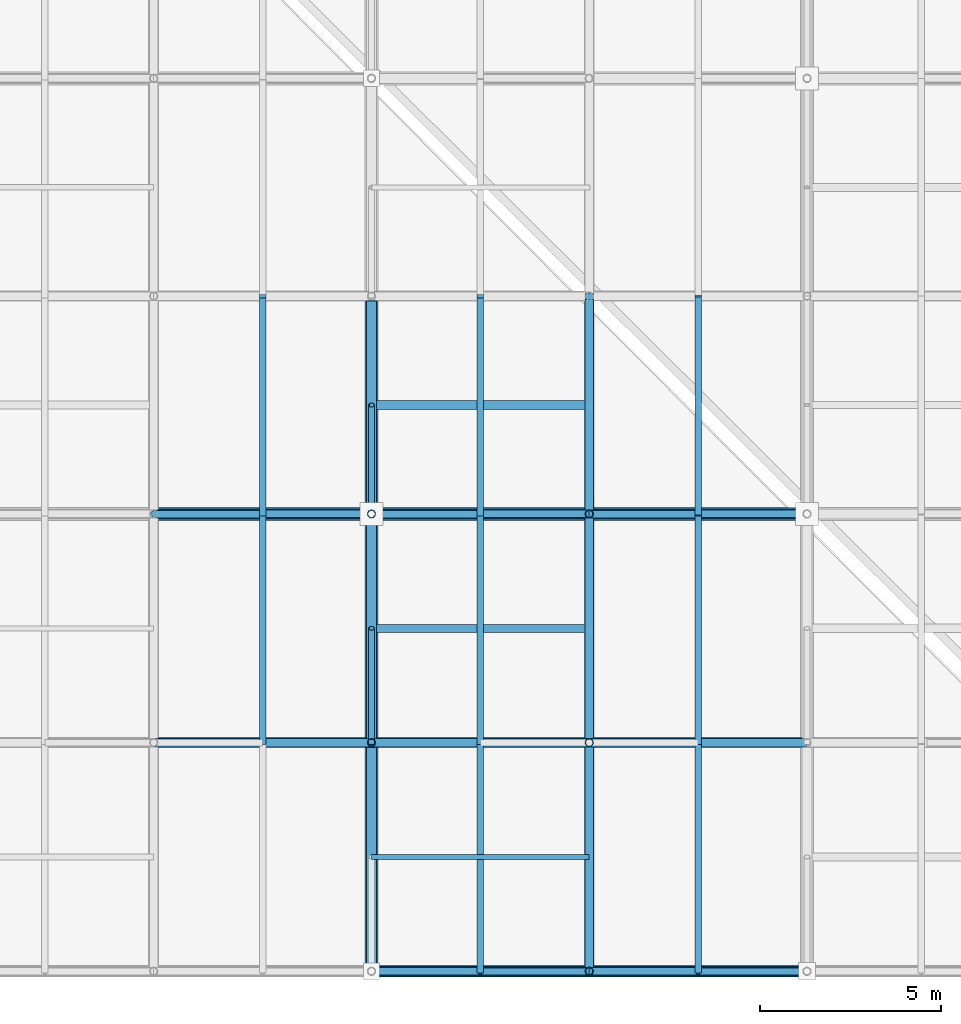
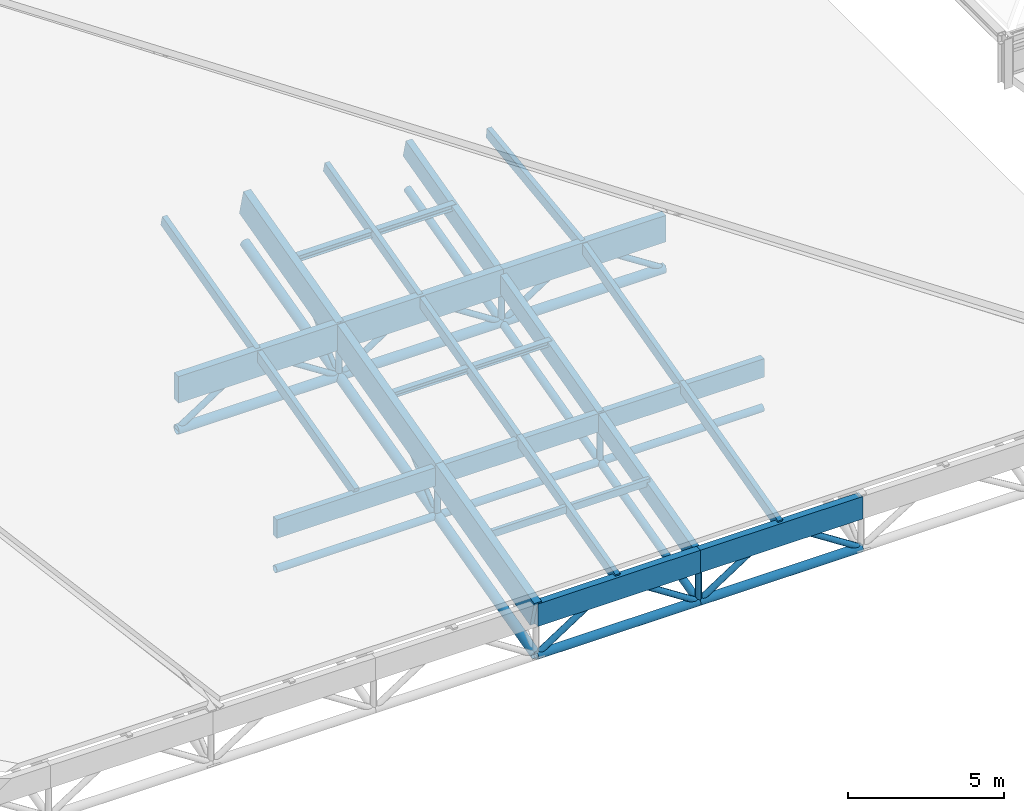
# One storey, part 25 of 80: 56 members.
"""IFC4 building model written with IfcOpenShell, lengths in metres."""

import ifcopenshell
import ifcopenshell.guid

model = None  # the IFC model being written
_history = None  # IfcOwnerHistory: only IFC2X3 demands one
_inside = {}  # id of a spatial element -> (the spatial element, [elements in it])
_under = {}  # id of a project, library or spatial element -> (it, [spatial elements below it])
_declared = {}  # id of a project -> (the project, [libraries it declares])
_typed = {}  # id of a type object -> (the type object, [elements of that type])
_made_of = {}  # id of a material, layer set ... -> (it, [elements and type objects made of it])


def new_model(schema):
    """Start an empty IFC model of exactly this schema.

    Asked for "IFC4X3", IfcOpenShell would pick the latest addendum, in which some entities
    have other attributes; the version numbers below select the first issue.
    IFC2X3 requires an IfcOwnerHistory on every rooted entity: one is made here for all.
    """
    global model, _history
    if schema == "IFC4X3":
        model = ifcopenshell.file(schema_version=(4, 3, 0, 0))
    else:
        model = ifcopenshell.file(schema=schema)
    _inside.clear()
    _under.clear()
    _declared.clear()
    _typed.clear()
    _made_of.clear()
    _history = None
    if model.schema == "IFC2X3":
        org = make("IfcOrganization", Name="unknown")
        user = make(
            "IfcPersonAndOrganization",
            ThePerson=make("IfcPerson", FamilyName="unknown"),
            TheOrganization=org,
        )
        app = make(
            "IfcApplication",
            ApplicationDeveloper=org,
            Version="unknown",
            ApplicationFullName="unknown",
            ApplicationIdentifier="unknown",
        )
        _history = make(
            "IfcOwnerHistory",
            OwningUser=user,
            OwningApplication=app,
            ChangeAction="ADDED",
            CreationDate=0,
        )
    return model


def make(cls, **values):
    """One entity of the class cls with the attributes given. An attribute that is None is left unset."""
    return model.create_entity(
        cls, **{name: value for name, value in values.items() if value is not None}
    )


def rooted(cls, **values):
    """An entity with a GlobalId (a new one), such as an element, a storey or a relation."""
    return make(cls, GlobalId=ifcopenshell.guid.new(), OwnerHistory=_history, **values)


def si_unit(unit_type, name, prefix=None):
    """IfcSIUnit, for example si_unit("LENGTHUNIT", "METRE", prefix="MILLI")."""
    return make("IfcSIUnit", UnitType=unit_type, Prefix=prefix, Name=name)


def assignment(units):
    """IfcUnitAssignment: the units of a project."""
    return None if units is None else make("IfcUnitAssignment", Units=units)


def point(xyz):
    """IfcCartesianPoint."""
    return None if xyz is None else make("IfcCartesianPoint", Coordinates=xyz)


def direction(xyz):
    """IfcDirection."""
    return None if xyz is None else make("IfcDirection", DirectionRatios=xyz)


def frame(location, z_axis=None, x_axis=None):
    """IfcAxis2Placement3D, a coordinate frame: its origin and axes. An axis left out is left unset."""
    return make(
        "IfcAxis2Placement3D",
        Location=point(location),
        Axis=direction(z_axis),
        RefDirection=direction(x_axis),
    )


def frame_2d(location, x_axis=None):
    """IfcAxis2Placement2D, a coordinate frame in the plane: its origin and x axis."""
    return make(
        "IfcAxis2Placement2D", Location=point(location), RefDirection=direction(x_axis)
    )


def origin():
    """The frame at (0, 0, 0) with its axes left unset."""
    return frame((0.0, 0.0, 0.0))


def origin_2d():
    """The frame at (0, 0) in the plane with its x axis left unset."""
    return frame_2d((0.0, 0.0))


def place(relative_to, where):
    """IfcLocalPlacement: puts the frame where relative to a parent placement (None: the world)."""
    return make(
        "IfcLocalPlacement", PlacementRelTo=relative_to, RelativePlacement=where
    )


def context(
    kind, dimensions, precision=None, world=None, true_north=None, identifier=None
):
    """IfcGeometricRepresentationContext, for example the 3D "Model" context."""
    return make(
        "IfcGeometricRepresentationContext",
        ContextIdentifier=identifier,
        ContextType=kind,
        CoordinateSpaceDimension=dimensions,
        Precision=precision,
        WorldCoordinateSystem=world,
        TrueNorth=true_north,
    )


def subcontext(parent, identifier, kind, view, scale=None):
    """IfcGeometricRepresentationSubContext, for example "Body" below "Model"."""
    return make(
        "IfcGeometricRepresentationSubContext",
        ContextIdentifier=identifier,
        ContextType=kind,
        ParentContext=parent,
        TargetScale=scale,
        TargetView=view,
    )


def project(units=None, contexts=None):
    """IfcProject with its units and contexts."""
    return rooted(
        "IfcProject",
        Name="project",
        RepresentationContexts=contexts,
        UnitsInContext=assignment(units),
    )


def spatial(cls, under=None, at=None, **own):
    """A site, building, storey or space (cls), placed at a placement, below another one or the project."""
    s = rooted(cls, ObjectPlacement=at, **own)
    if under is not None:
        _under.setdefault(under.id(), (under, []))[1].append(s)
    return s


def profile(cls, at=None, kind="AREA", **sizes):
    """A parametric profile (cls). Its sizes go by their IFC names, for example OverallWidth=200.0."""
    return make(cls, ProfileType=kind, Position=at, **sizes)


def rectangle(**sizes):
    """IfcRectangleProfileDef."""
    return profile("IfcRectangleProfileDef", **sizes)


def hollow_circle(**sizes):
    """IfcCircleHollowProfileDef."""
    return profile("IfcCircleHollowProfileDef", **sizes)


def i_section(**sizes):
    """IfcIShapeProfileDef."""
    return profile("IfcIShapeProfileDef", **sizes)


def extrude(swept, where, along, depth):
    """IfcExtrudedAreaSolid: the profile swept, set in the frame where, extruded along a direction by depth."""
    return make(
        "IfcExtrudedAreaSolid",
        SweptArea=swept,
        Position=where,
        ExtrudedDirection=direction(along),
        Depth=depth,
    )


def shape(context_of_items, identifier, shape_type, items):
    """IfcShapeRepresentation: the items that make up one representation, for example the "Body"."""
    return make(
        "IfcShapeRepresentation",
        ContextOfItems=context_of_items,
        RepresentationIdentifier=identifier,
        RepresentationType=shape_type,
        Items=items,
    )


def material(Name=None, Category=None):
    """IfcMaterial."""
    return make("IfcMaterial", Name=Name, Category=Category)


def material_profile(
    of_material, cross_section, Name=None, Category=None, Priority=None
):
    """IfcMaterialProfile: a cross section and its material."""
    return make(
        "IfcMaterialProfile",
        Name=Name,
        Material=of_material,
        Profile=cross_section,
        Priority=Priority,
        Category=Category,
    )


def profile_set(profiles, Name=None, composite=None):
    """IfcMaterialProfileSet."""
    return make(
        "IfcMaterialProfileSet",
        Name=Name,
        MaterialProfiles=profiles,
        CompositeProfile=composite,
    )


def made_of(thing, what):
    """Note that an element or type object is made of a material, layer set ...; save() writes the relation."""
    if what is not None:
        _made_of.setdefault(what.id(), (what, []))[1].append(thing)
    return thing


def type_object(cls, material=None, **own):
    """A type object (cls), such as IfcWallType, which elements share."""
    return made_of(rooted(cls, **own), material)


def element(
    cls,
    number,
    at=None,
    inside=None,
    cuts=None,
    type_object=None,
    material=None,
    context=None,
    identifier="Body",
    shape_type=None,
    held_by="IfcProductDefinitionShape",
    body=None,
    shapes=None,
    **own,
):
    """One element of the class cls, such as IfcWall. Its Tag is "e" and its number.

    at: its placement. inside: the storey or other place that contains it. cuts: it is an
    opening in that element (IfcRelVoidsElement). A single representation is given by context,
    identifier, shape_type and body (its items); several are given by shapes. held_by: the class
    of the entity that holds the representations. save() writes the other relations.
    """
    e = rooted(cls, Tag="e%d" % number, ObjectPlacement=at, **own)
    if body is not None:
        shapes = [shape(context, identifier, shape_type, body)]
    if shapes is not None:
        e.Representation = make(held_by, Representations=shapes)
    if inside is not None:
        _inside.setdefault(inside.id(), (inside, []))[1].append(e)
    if cuts is not None:
        rooted(
            "IfcRelVoidsElement", RelatingBuildingElement=cuts, RelatedOpeningElement=e
        )
    if type_object is not None:
        _typed.setdefault(type_object.id(), (type_object, []))[1].append(e)
    return made_of(e, material)


def aggregate(whole, parts):
    """IfcRelAggregates: a whole, such as a stair, and the parts it consists of."""
    return rooted("IfcRelAggregates", RelatingObject=whole, RelatedObjects=parts)


def save(model, path):
    """Write the relations noted so far, then the file.

    IfcRelAggregates (storeys below a building ...), IfcRelContainedInSpatialStructure (elements
    in a storey), IfcRelDefinesByType, IfcRelAssociatesMaterial and IfcRelDeclares: one each for
    every whole, place, type object, material and project.
    """
    for whole, parts in _under.values():
        aggregate(whole, parts)
    for where, things in _inside.values():
        rooted(
            "IfcRelContainedInSpatialStructure",
            RelatedElements=things,
            RelatingStructure=where,
        )
    for kind, things in _typed.values():
        rooted("IfcRelDefinesByType", RelatedObjects=things, RelatingType=kind)
    for what, things in _made_of.values():
        rooted("IfcRelAssociatesMaterial", RelatedObjects=things, RelatingMaterial=what)
    for by, libraries in _declared.values():
        rooted("IfcRelDeclares", RelatingContext=by, RelatedDefinitions=libraries)
    model.write(path)


model = new_model("IFC4")

# Units and contexts
model_context = context("Model", 3, precision=1e-05, world=origin(), true_north=direction((0.0, 1.0)))
body_context = subcontext(model_context, "Body", "Model", "MODEL_VIEW")
ifc_project = project(units=[si_unit("LENGTHUNIT", "METRE"), si_unit("AREAUNIT", "SQUARE_METRE"), si_unit("VOLUMEUNIT", "CUBIC_METRE"), si_unit("PLANEANGLEUNIT", "RADIAN"), si_unit("MASSUNIT", "GRAM", prefix="KILO"), si_unit("THERMODYNAMICTEMPERATUREUNIT", "KELVIN"), si_unit("POWERUNIT", "WATT")], contexts=[model_context])

# Site, building, storey
site_placement = place(None, origin())
site = spatial("IfcSite", under=ifc_project, at=site_placement, CompositionType="ELEMENT")
building_placement = place(site_placement, origin())
building = spatial("IfcBuilding", under=site, at=building_placement, Name="Solmara Park Aquatics Centre", CompositionType="ELEMENT")
storey_placement = place(building_placement, frame((0.0, 0.0, 22.800048828125)))
storey = spatial("IfcBuildingStorey", under=building, at=storey_placement, Name="RF", CompositionType="ELEMENT", Elevation=22.800048828125)

# Members
ifc_material_1 = material(Name="Structural Steel S355", Category="steel")
ifc_material_profile_1 = material_profile(ifc_material_1, hollow_circle(Radius=0.084228515625, WallThickness=0.008056640625, at=origin_2d()), Name="CHS 168.3x8")
ifc_profile_set_1 = profile_set([ifc_material_profile_1], Name="Structural Steel S355")
member_type_1 = type_object("IfcMemberType", Name="STR-BRC-CHS168", PredefinedType="BRACE", material=ifc_profile_set_1)
member_1_placement = place(storey_placement, frame((84.60009765625, 6.300048828125, -12.770751953125), z_axis=(0.0, 0.748026356938, 0.663669020917), x_axis=(-1.0, 0.0, 0.0)))
element("IfcMember", 1, at=member_1_placement, inside=storey, type_object=member_type_1, Name="Roof Truss Web Diagonal Y 1877", PredefinedType="BRACE", context=body_context, shape_type="SweptSolid", body=[
    extrude(hollow_circle(Radius=0.084228515625, WallThickness=0.008056640625, at=origin_2d()), origin(), (0.0, 0.0, 1.0), 4.2109375),
])
member_2_placement = place(storey_placement, frame((84.60009765625, 12.60009765625, -11.141357421875), z_axis=(0.0, 0.736467121275, 0.676473339667), x_axis=(-1.0, 0.0, 0.0)))
element("IfcMember", 2, at=member_2_placement, inside=storey, type_object=member_type_1, Name="Roof Truss Web Diagonal Y 1899", PredefinedType="BRACE", context=body_context, shape_type="SweptSolid", body=[
    extrude(hollow_circle(Radius=0.084228515625, WallThickness=0.008056640625, at=origin_2d()), origin(), (0.0, 0.0, 1.0), 4.073486328125),
])
ifc_material_profile_2 = material_profile(ifc_material_1, hollow_circle(Radius=0.109619140625, WallThickness=0.010009765625, at=origin_2d()), Name="CHS 219.1x10")
ifc_profile_set_2 = profile_set([ifc_material_profile_2], Name="Structural Steel S355")
member_type_2 = type_object("IfcMemberType", Name="STR-BRC-CHS219", PredefinedType="BRACE", material=ifc_profile_set_2)
for number, where, z_axis, x_axis, name in (
    (3, (78.60009765625, 12.60009765625, -11.141357421875), (0.83972779743, 0.0, 0.543007574738), (0.0, 1.0, 0.0), "Roof Truss Web Diagonal X 1727"),
    (4, (84.60009765625, 12.60009765625, -11.141357421875), (-0.83972779743, 0.0, 0.543007574738), (0.0, -1.0, 0.0), "Roof Truss Web Diagonal X 1728"),
):
    element("IfcMember", number, at=place(storey_placement, frame(where, z_axis=z_axis, x_axis=x_axis)), inside=storey, type_object=member_type_2, Name=name, PredefinedType="BRACE", context=body_context, shape_type="SweptSolid", body=[
        extrude(hollow_circle(Radius=0.109619140625, WallThickness=0.010009765625, at=origin_2d()), origin(), (0.0, 0.0, 1.0), 3.572509765625),
    ])
for number, where, z_axis, x_axis, name in (
    (5, (84.60009765625, 0.0, -14.400146484375), (0.839696636896, 0.0, 0.543055759555), (0.0, 1.0, 0.0), "Roof Truss Web Diagonal X 1753"),
    (6, (90.60009765625, 0.0, -14.400146484375), (-0.839696636896, 0.0, 0.543055759555), (0.0, -1.0, 0.0), "Roof Truss Web Diagonal X 1754"),
):
    element("IfcMember", number, at=place(storey_placement, frame(where, z_axis=z_axis, x_axis=x_axis)), inside=storey, type_object=member_type_2, Name=name, PredefinedType="BRACE", context=body_context, shape_type="SweptSolid", body=[
        extrude(hollow_circle(Radius=0.109619140625, WallThickness=0.010009765625, at=origin_2d()), origin(), (0.0, 0.0, 1.0), 3.57275390625),
    ])
for number, where, z_axis, x_axis, name in (
    (7, (84.60009765625, 12.60009765625, -11.141357421875), (0.83972779743, 0.0, 0.543007574738), (0.0, 1.0, 0.0), "Roof Truss Web Diagonal X 1755"),
    (8, (90.60009765625, 12.60009765625, -11.141357421875), (-0.83972779743, 0.0, 0.543007574738), (0.0, -1.0, 0.0), "Roof Truss Web Diagonal X 1756"),
):
    element("IfcMember", number, at=place(storey_placement, frame(where, z_axis=z_axis, x_axis=x_axis)), inside=storey, type_object=member_type_2, Name=name, PredefinedType="BRACE", context=body_context, shape_type="SweptSolid", body=[
        extrude(hollow_circle(Radius=0.109619140625, WallThickness=0.010009765625, at=origin_2d()), origin(), (0.0, 0.0, 1.0), 3.572509765625),
    ])
for number, where, z_axis, x_axis, name in (
    (9, (90.60009765625, 0.0, -14.400146484375), (0.839696636896, 0.0, 0.543055759555), (0.0, 1.0, 0.0), "Roof Truss Web Diagonal X 1779"),
    (10, (96.60009765625, 0.0, -14.400146484375), (-0.839696636896, 0.0, 0.543055759555), (0.0, -1.0, 0.0), "Roof Truss Web Diagonal X 1780"),
):
    element("IfcMember", number, at=place(storey_placement, frame(where, z_axis=z_axis, x_axis=x_axis)), inside=storey, type_object=member_type_2, Name=name, PredefinedType="BRACE", context=body_context, shape_type="SweptSolid", body=[
        extrude(hollow_circle(Radius=0.109619140625, WallThickness=0.010009765625, at=origin_2d()), origin(), (0.0, 0.0, 1.0), 3.57275390625),
    ])
for number, where, z_axis, x_axis, name in (
    (11, (90.60009765625, 12.60009765625, -11.141357421875), (0.83972779743, 0.0, 0.543007574738), (0.0, 1.0, 0.0), "Roof Truss Web Diagonal X 1781"),
    (12, (96.60009765625, 12.60009765625, -11.141357421875), (-0.83972779743, 0.0, 0.543007574738), (0.0, -1.0, 0.0), "Roof Truss Web Diagonal X 1782"),
):
    element("IfcMember", number, at=place(storey_placement, frame(where, z_axis=z_axis, x_axis=x_axis)), inside=storey, type_object=member_type_2, Name=name, PredefinedType="BRACE", context=body_context, shape_type="SweptSolid", body=[
        extrude(hollow_circle(Radius=0.109619140625, WallThickness=0.010009765625, at=origin_2d()), origin(), (0.0, 0.0, 1.0), 3.572509765625),
    ])
ifc_material_profile_3 = material_profile(ifc_material_1, hollow_circle(Radius=0.136474609375, WallThickness=0.012451171875, at=origin_2d()), Name="CHS 273x12.5")
ifc_profile_set_3 = profile_set([ifc_material_profile_3], Name="Structural Steel S355")
member_type_3 = type_object("IfcMemberType", Name="STR-CHD-CHS273", PredefinedType="CHORD", material=ifc_profile_set_3)
for number, where, z_axis, x_axis, name in (
    (13, (78.60009765625, 6.300048828125, -12.770751953125), (1.0, 0.0, 0.0), (0.0, 1.0, 0.0), "Steel Roof Truss Bottom Chord X 0064"),
    (14, (84.60009765625, 6.300048828125, -12.770751953125), (1.0, 0.0, 0.0), (0.0, 1.0, 0.0), "Steel Roof Truss Bottom Chord X 0066"),
    (15, (90.60009765625, 6.300048828125, -12.770751953125), (1.0, 0.0, 0.0), (0.0, 1.0, 0.0), "Steel Roof Truss Bottom Chord X 0068"),
):
    element("IfcMember", number, at=place(storey_placement, frame(where, z_axis=z_axis, x_axis=x_axis)), inside=storey, type_object=member_type_3, Name=name, PredefinedType="CHORD", context=body_context, shape_type="SweptSolid", body=[
        extrude(hollow_circle(Radius=0.136474609375, WallThickness=0.012451171875, at=origin_2d()), origin(), (0.0, 0.0, 1.0), 6.0),
    ])
for number, where, z_axis, x_axis, name in (
    (16, (90.60009765625, 0.0, -14.400146484375), (0.0, 0.968144245908, 0.25039312913), (-1.0, 0.0, 0.0), "Steel Roof Truss Bottom Chord Y 0962"),
    (17, (90.60009765625, 6.300048828125, -12.770751953125), (0.0, 0.968144245908, 0.25039312913), (-1.0, 0.0, 0.0), "Steel Roof Truss Bottom Chord Y 0964"),
):
    element("IfcMember", number, at=place(storey_placement, frame(where, z_axis=z_axis, x_axis=x_axis)), inside=storey, type_object=member_type_3, Name=name, PredefinedType="CHORD", context=body_context, shape_type="SweptSolid", body=[
        extrude(hollow_circle(Radius=0.136474609375, WallThickness=0.012451171875, at=origin_2d()), origin(), (0.0, 0.0, 1.0), 6.50732421875),
    ])
member_3_placement = place(storey_placement, frame((90.60009765625, 12.60009765625, -11.141357421875), z_axis=(0.0, 0.968155143395, 0.250350990246), x_axis=(-1.0, 0.0, 0.0)))
element("IfcMember", 18, at=member_3_placement, inside=storey, type_object=member_type_3, Name="Steel Roof Truss Bottom Chord Y 0966", PredefinedType="CHORD", context=body_context, shape_type="SweptSolid", body=[
    extrude(hollow_circle(Radius=0.136474609375, WallThickness=0.012451171875, at=origin_2d()), origin(), (0.0, 0.0, 1.0), 6.197265625),
])
ifc_material_profile_4 = material_profile(ifc_material_1, hollow_circle(Radius=0.161865234375, WallThickness=0.01611328125, at=origin_2d()), Name="CHS 323.9x16")
ifc_profile_set_4 = profile_set([ifc_material_profile_4], Name="Structural Steel S355")
member_type_4 = type_object("IfcMemberType", Name="STR-CHD-CHS323", PredefinedType="CHORD", material=ifc_profile_set_4)
for number, where, z_axis, x_axis, name in (
    (19, (84.60009765625, 0.0, -14.400146484375), (1.0, 0.0, 0.0), (0.0, 1.0, 0.0), "Steel Roof Truss Bottom Chord X 0030"),
    (20, (90.60009765625, 0.0, -14.400146484375), (1.0, 0.0, 0.0), (0.0, 1.0, 0.0), "Steel Roof Truss Bottom Chord X 0032"),
):
    element("IfcMember", number, at=place(storey_placement, frame(where, z_axis=z_axis, x_axis=x_axis)), inside=storey, type_object=member_type_4, Name=name, PredefinedType="CHORD", context=body_context, shape_type="SweptSolid", body=[
        extrude(hollow_circle(Radius=0.161865234375, WallThickness=0.01611328125, at=origin_2d()), origin(), (0.0, 0.0, 1.0), 6.0),
    ])
ifc_material_profile_5 = material_profile(ifc_material_1, hollow_circle(Radius=0.177734375, WallThickness=0.01611328125, at=origin_2d()), Name="CHS 355.6x16")
ifc_profile_set_5 = profile_set([ifc_material_profile_5], Name="Structural Steel S355")
member_type_5 = type_object("IfcMemberType", Name="STR-CHD-CHS355", PredefinedType="CHORD", material=ifc_profile_set_5)
for number, where, z_axis, x_axis, name in (
    (21, (78.60009765625, 12.60009765625, -11.141357421875), (1.0, 0.0, 0.0), (0.0, 1.0, 0.0), "Steel Roof Truss Bottom Chord X 0100"),
    (22, (84.60009765625, 12.60009765625, -11.141357421875), (1.0, 0.0, 0.0), (0.0, 1.0, 0.0), "Steel Roof Truss Bottom Chord X 0102"),
    (23, (90.60009765625, 12.60009765625, -11.141357421875), (1.0, 0.0, 0.0), (0.0, 1.0, 0.0), "Steel Roof Truss Bottom Chord X 0104"),
):
    element("IfcMember", number, at=place(storey_placement, frame(where, z_axis=z_axis, x_axis=x_axis)), inside=storey, type_object=member_type_5, Name=name, PredefinedType="CHORD", context=body_context, shape_type="SweptSolid", body=[
        extrude(hollow_circle(Radius=0.177734375, WallThickness=0.01611328125, at=origin_2d()), origin(), (0.0, 0.0, 1.0), 6.0),
    ])
for number, where, z_axis, x_axis, name in (
    (24, (84.60009765625, 0.0, -14.400146484375), (0.0, 0.968144245908, 0.25039312913), (-1.0, 0.0, 0.0), "Steel Roof Truss Bottom Chord Y 0934"),
    (25, (84.60009765625, 6.300048828125, -12.770751953125), (0.0, 0.968144245908, 0.25039312913), (-1.0, 0.0, 0.0), "Steel Roof Truss Bottom Chord Y 0936"),
):
    element("IfcMember", number, at=place(storey_placement, frame(where, z_axis=z_axis, x_axis=x_axis)), inside=storey, type_object=member_type_5, Name=name, PredefinedType="CHORD", context=body_context, shape_type="SweptSolid", body=[
        extrude(hollow_circle(Radius=0.177734375, WallThickness=0.01611328125, at=origin_2d()), origin(), (0.0, 0.0, 1.0), 6.50732421875),
    ])
member_4_placement = place(storey_placement, frame((84.60009765625, 12.60009765625, -11.141357421875), z_axis=(0.0, 0.968155143395, 0.250350990246), x_axis=(-1.0, 0.0, 0.0)))
element("IfcMember", 26, at=member_4_placement, inside=storey, type_object=member_type_5, Name="Steel Roof Truss Bottom Chord Y 0938", PredefinedType="CHORD", context=body_context, shape_type="SweptSolid", body=[
    extrude(hollow_circle(Radius=0.177734375, WallThickness=0.01611328125, at=origin_2d()), origin(), (0.0, 0.0, 1.0), 6.197265625),
])
ifc_material_2 = material(Name="Glulam Timber GL28h", Category="wood")
ifc_material_profile_6 = material_profile(ifc_material_2, rectangle(XDim=0.239990234375, YDim=0.719970703125, at=origin_2d()), Name="GL28h 240x720")
ifc_profile_set_6 = profile_set([ifc_material_profile_6], Name="Glulam Timber GL28h")
member_type_6 = type_object("IfcMemberType", Name="STR-CHD-GL240x720", PredefinedType="CHORD", material=ifc_profile_set_6)
for number, where, z_axis, x_axis, name in (
    (27, (78.60009765625, 6.300048828125, -11.150634765625), (1.0, 0.0, 0.0), (0.0, 1.0, 0.0), "Glulam Roof Truss Top Chord X 0063"),
    (28, (84.60009765625, 6.300048828125, -11.150634765625), (1.0, 0.0, 0.0), (0.0, 1.0, 0.0), "Glulam Roof Truss Top Chord X 0065"),
    (29, (90.60009765625, 6.300048828125, -11.150634765625), (1.0, 0.0, 0.0), (0.0, 1.0, 0.0), "Glulam Roof Truss Top Chord X 0067"),
):
    element("IfcMember", number, at=place(storey_placement, frame(where, z_axis=z_axis, x_axis=x_axis)), inside=storey, type_object=member_type_6, Name=name, PredefinedType="CHORD", context=body_context, shape_type="SweptSolid", body=[
        extrude(rectangle(XDim=0.239990234375, YDim=0.719970703125, at=origin_2d()), origin(), (0.0, 0.0, 1.0), 6.0),
    ])
for number, where, z_axis, x_axis, name in (
    (30, (90.60009765625, 0.0, -12.780029296875), (0.0, 0.968144245908, 0.25039312913), (-1.0, 0.0, 0.0), "Glulam Roof Truss Top Chord Y 0961"),
    (31, (90.60009765625, 6.300048828125, -11.150634765625), (0.0, 0.96815334027, 0.250357963171), (-1.0, 0.0, 0.0), "Glulam Roof Truss Top Chord Y 0963"),
):
    element("IfcMember", number, at=place(storey_placement, frame(where, z_axis=z_axis, x_axis=x_axis)), inside=storey, type_object=member_type_6, Name=name, PredefinedType="CHORD", context=body_context, shape_type="SweptSolid", body=[
        extrude(rectangle(XDim=0.239990234375, YDim=0.719970703125, at=origin_2d()), origin(), (0.0, 0.0, 1.0), 6.50732421875),
    ])
member_5_placement = place(storey_placement, frame((90.60009765625, 12.60009765625, -9.521484375), z_axis=(0.0, 0.968145594442, 0.250387914969), x_axis=(-1.0, 0.0, 0.0)))
element("IfcMember", 32, at=member_5_placement, inside=storey, type_object=member_type_6, Name="Glulam Roof Truss Top Chord Y 0965", PredefinedType="CHORD", context=body_context, shape_type="SweptSolid", body=[
    extrude(rectangle(XDim=0.239990234375, YDim=0.719970703125, at=origin_2d()), origin(), (0.0, 0.0, 1.0), 6.197509765625),
])
ifc_material_profile_7 = material_profile(ifc_material_2, rectangle(XDim=0.260009765625, YDim=0.8798828125, at=origin_2d()), Name="GL28h 260x880")
ifc_profile_set_7 = profile_set([ifc_material_profile_7], Name="Glulam Timber GL28h")
member_type_7 = type_object("IfcMemberType", Name="STR-CHD-GL260x880", PredefinedType="CHORD", material=ifc_profile_set_7)
for number, where, z_axis, x_axis, name in (
    (33, (84.60009765625, 0.0, -12.780029296875), (1.0, 0.0, 0.0), (0.0, 1.0, 0.0), "Glulam Roof Truss Top Chord X 0029"),
    (34, (90.60009765625, 0.0, -12.780029296875), (1.0, 0.0, 0.0), (0.0, 1.0, 0.0), "Glulam Roof Truss Top Chord X 0031"),
):
    element("IfcMember", number, at=place(storey_placement, frame(where, z_axis=z_axis, x_axis=x_axis)), inside=storey, type_object=member_type_7, Name=name, PredefinedType="CHORD", context=body_context, shape_type="SweptSolid", body=[
        extrude(rectangle(XDim=0.260009765625, YDim=0.8798828125, at=origin_2d()), origin(), (0.0, 0.0, 1.0), 6.0),
    ])
ifc_material_profile_8 = material_profile(ifc_material_2, rectangle(XDim=0.280029296875, YDim=1.0400390625, at=origin_2d()), Name="GL28h 280x1040")
ifc_profile_set_8 = profile_set([ifc_material_profile_8], Name="Glulam Timber GL28h")
member_type_8 = type_object("IfcMemberType", Name="STR-CHD-GL280x1040", PredefinedType="CHORD", material=ifc_profile_set_8)
for number, where, z_axis, x_axis, name in (
    (35, (78.60009765625, 12.60009765625, -9.521484375), (1.0, 0.0, 0.0), (0.0, 1.0, 0.0), "Glulam Roof Truss Top Chord X 0099"),
    (36, (84.60009765625, 12.60009765625, -9.521484375), (1.0, 0.0, 0.0), (0.0, 1.0, 0.0), "Glulam Roof Truss Top Chord X 0101"),
    (37, (90.60009765625, 12.60009765625, -9.521484375), (1.0, 0.0, 0.0), (0.0, 1.0, 0.0), "Glulam Roof Truss Top Chord X 0103"),
):
    element("IfcMember", number, at=place(storey_placement, frame(where, z_axis=z_axis, x_axis=x_axis)), inside=storey, type_object=member_type_8, Name=name, PredefinedType="CHORD", context=body_context, shape_type="SweptSolid", body=[
        extrude(rectangle(XDim=0.280029296875, YDim=1.0400390625, at=origin_2d()), origin(), (0.0, 0.0, 1.0), 6.0),
    ])
for number, where, z_axis, x_axis, name in (
    (38, (84.60009765625, 0.0, -12.780029296875), (0.0, 0.968144245908, 0.25039312913), (-1.0, 0.0, 0.0), "Glulam Roof Truss Top Chord Y 0933"),
    (39, (84.60009765625, 6.300048828125, -11.150634765625), (0.0, 0.96815334027, 0.250357963171), (-1.0, 0.0, 0.0), "Glulam Roof Truss Top Chord Y 0935"),
):
    element("IfcMember", number, at=place(storey_placement, frame(where, z_axis=z_axis, x_axis=x_axis)), inside=storey, type_object=member_type_8, Name=name, PredefinedType="CHORD", context=body_context, shape_type="SweptSolid", body=[
        extrude(rectangle(XDim=0.280029296875, YDim=1.0400390625, at=origin_2d()), origin(), (0.0, 0.0, 1.0), 6.50732421875),
    ])
member_6_placement = place(storey_placement, frame((84.60009765625, 12.60009765625, -9.521484375), z_axis=(0.0, 0.968145594442, 0.250387914969), x_axis=(-1.0, 0.0, 0.0)))
element("IfcMember", 40, at=member_6_placement, inside=storey, type_object=member_type_8, Name="Glulam Roof Truss Top Chord Y 0937", PredefinedType="CHORD", context=body_context, shape_type="SweptSolid", body=[
    extrude(rectangle(XDim=0.280029296875, YDim=1.0400390625, at=origin_2d()), origin(), (0.0, 0.0, 1.0), 6.197509765625),
])
ifc_material_profile_9 = material_profile(ifc_material_2, rectangle(XDim=0.139892578125, YDim=0.280029296875, at=origin_2d()), Name="GL28h 140x280")
ifc_profile_set_9 = profile_set([ifc_material_profile_9], Name="Glulam Timber GL28h")
member_type_9 = type_object("IfcMemberType", Name="STR-PRL-GL140x280", PredefinedType="PURLIN", material=ifc_profile_set_9)
member_7_placement = place(storey_placement, frame((84.60009765625, 3.14990234375, -11.62548828125), z_axis=(1.0, 0.0, 0.0), x_axis=(0.0, 1.0, 0.0)))
element("IfcMember", 41, at=member_7_placement, inside=storey, type_object=member_type_9, Name="Glulam Secondary Roof Purlin 1846", PredefinedType="PURLIN", context=body_context, shape_type="SweptSolid", body=[
    extrude(rectangle(XDim=0.139892578125, YDim=0.280029296875, at=origin_2d()), origin(), (0.0, 0.0, 1.0), 6.0),
])
ifc_material_profile_10 = material_profile(ifc_material_2, rectangle(XDim=0.179931640625, YDim=0.39990234375, at=origin_2d()), Name="GL28h 180x400")
ifc_profile_set_10 = profile_set([ifc_material_profile_10], Name="Glulam Timber GL28h")
member_type_10 = type_object("IfcMemberType", Name="STR-PRL-GL180x400", PredefinedType="PURLIN", material=ifc_profile_set_10)
member_8_placement = place(storey_placement, frame((81.60009765625, 6.300048828125, -10.830810546875), z_axis=(0.0, 0.968144245908, 0.25039312913), x_axis=(-1.0, 0.0, 0.0)))
element("IfcMember", 42, at=member_8_placement, inside=storey, type_object=member_type_10, Name="Glulam Roof Purlin 1712", PredefinedType="PURLIN", context=body_context, shape_type="SweptSolid", body=[
    extrude(rectangle(XDim=0.179931640625, YDim=0.39990234375, at=origin_2d()), origin(), (0.0, 0.0, 1.0), 6.50732421875),
])
member_9_placement = place(storey_placement, frame((81.60009765625, 12.60009765625, -9.201416015625), z_axis=(0.0, 0.968145594442, 0.250387914969), x_axis=(-1.0, 0.0, 0.0)))
element("IfcMember", 43, at=member_9_placement, inside=storey, type_object=member_type_10, Name="Glulam Roof Purlin 1713", PredefinedType="PURLIN", context=body_context, shape_type="SweptSolid", body=[
    extrude(rectangle(XDim=0.179931640625, YDim=0.39990234375, at=origin_2d()), origin(), (0.0, 0.0, 1.0), 6.197509765625),
])
for number, where, z_axis, x_axis, name in (
    (44, (87.60009765625, 0.0, -12.4599609375), (0.0, 0.96815334027, 0.250357963171), (-1.0, 0.0, 0.0), "Glulam Roof Purlin 1739"),
    (45, (87.60009765625, 6.300048828125, -10.830810546875), (0.0, 0.968144245908, 0.25039312913), (-1.0, 0.0, 0.0), "Glulam Roof Purlin 1740"),
):
    element("IfcMember", number, at=place(storey_placement, frame(where, z_axis=z_axis, x_axis=x_axis)), inside=storey, type_object=member_type_10, Name=name, PredefinedType="PURLIN", context=body_context, shape_type="SweptSolid", body=[
        extrude(rectangle(XDim=0.179931640625, YDim=0.39990234375, at=origin_2d()), origin(), (0.0, 0.0, 1.0), 6.50732421875),
    ])
member_10_placement = place(storey_placement, frame((87.60009765625, 12.60009765625, -9.201416015625), z_axis=(0.0, 0.968145594442, 0.250387914969), x_axis=(-1.0, 0.0, 0.0)))
element("IfcMember", 46, at=member_10_placement, inside=storey, type_object=member_type_10, Name="Glulam Roof Purlin 1741", PredefinedType="PURLIN", context=body_context, shape_type="SweptSolid", body=[
    extrude(rectangle(XDim=0.179931640625, YDim=0.39990234375, at=origin_2d()), origin(), (0.0, 0.0, 1.0), 6.197509765625),
])
for number, where, z_axis, x_axis, name in (
    (47, (93.60009765625, 0.0, -12.4599609375), (0.0, 0.96815334027, 0.250357963171), (-1.0, 0.0, 0.0), "Glulam Roof Purlin 1765"),
    (48, (93.60009765625, 6.300048828125, -10.830810546875), (0.0, 0.968144245908, 0.25039312913), (-1.0, 0.0, 0.0), "Glulam Roof Purlin 1766"),
):
    element("IfcMember", number, at=place(storey_placement, frame(where, z_axis=z_axis, x_axis=x_axis)), inside=storey, type_object=member_type_10, Name=name, PredefinedType="PURLIN", context=body_context, shape_type="SweptSolid", body=[
        extrude(rectangle(XDim=0.179931640625, YDim=0.39990234375, at=origin_2d()), origin(), (0.0, 0.0, 1.0), 6.50732421875),
    ])
member_11_placement = place(storey_placement, frame((93.60009765625, 12.60009765625, -9.201416015625), z_axis=(0.0, 0.991742472473, 0.128245344137), x_axis=(-1.0, 0.0, 0.0)))
element("IfcMember", 49, at=member_11_placement, inside=storey, type_object=member_type_10, Name="Glulam Roof Purlin 1767", PredefinedType="PURLIN", context=body_context, shape_type="SweptSolid", body=[
    extrude(rectangle(XDim=0.179931640625, YDim=0.39990234375, at=origin_2d()), origin(), (0.0, 0.0, 1.0), 6.050048828125),
])
ifc_material_profile_11 = material_profile(ifc_material_1, i_section(OverallWidth=0.219970703125, OverallDepth=0.2099609375, WebThickness=0.007080078125, FlangeThickness=0.010986328125, FilletRadius=0.01806640625, at=origin_2d()), Name="HEA 220")
ifc_profile_set_11 = profile_set([ifc_material_profile_11], Name="Structural Steel S355")
member_type_11 = type_object("IfcMemberType", Name="STR-PRL-HEA220", PredefinedType="PURLIN", material=ifc_profile_set_11)
member_12_placement = place(storey_placement, frame((84.60009765625, 9.449951171875, -9.99609375), z_axis=(1.0, 0.0, 0.0), x_axis=(0.0, 1.0, 0.0)))
element("IfcMember", 50, at=member_12_placement, inside=storey, type_object=member_type_11, Name="Glulam Secondary Roof Purlin 1867", PredefinedType="PURLIN", context=body_context, shape_type="SweptSolid", body=[
    extrude(i_section(OverallWidth=0.219970703125, OverallDepth=0.2099609375, WebThickness=0.007080078125, FlangeThickness=0.010986328125, FilletRadius=0.01806640625, at=origin_2d()), origin(), (0.0, 0.0, 1.0), 6.0),
])
ifc_material_profile_12 = material_profile(ifc_material_1, i_section(OverallWidth=0.239990234375, OverallDepth=0.22998046875, WebThickness=0.007568359375, FlangeThickness=0.011962890625, FilletRadius=0.02099609375, at=origin_2d()), Name="HEA 240")
ifc_profile_set_12 = profile_set([ifc_material_profile_12], Name="Structural Steel S355")
member_type_12 = type_object("IfcMemberType", Name="STR-PRL-HEA240", PredefinedType="PURLIN", material=ifc_profile_set_12)
member_13_placement = place(storey_placement, frame((84.60009765625, 15.60009765625, -8.40576171875), z_axis=(1.0, 0.0, 0.0), x_axis=(0.0, 1.0, 0.0)))
element("IfcMember", 51, at=member_13_placement, inside=storey, type_object=member_type_12, Name="Glulam Secondary Roof Purlin 1888", PredefinedType="PURLIN", context=body_context, shape_type="SweptSolid", body=[
    extrude(i_section(OverallWidth=0.239990234375, OverallDepth=0.22998046875, WebThickness=0.007568359375, FlangeThickness=0.011962890625, FilletRadius=0.02099609375, at=origin_2d()), origin(), (0.0, 0.0, 1.0), 6.0),
])
ifc_material_profile_13 = material_profile(ifc_material_1, hollow_circle(Radius=0.109619140625, WallThickness=0.010009765625, at=origin_2d()), Name="CHS 219.1x10")
ifc_profile_set_13 = profile_set([ifc_material_profile_13], Name="Structural Steel S355")
member_type_13 = type_object("IfcMemberType", Name="STR-PST-CHS219", PredefinedType="POST", material=ifc_profile_set_13)
member_14_placement = place(storey_placement, frame((84.60009765625, 6.300048828125, -12.770751953125), z_axis=(0.0, 0.0, 1.0), x_axis=(1.0, 0.0, 0.0)))
element("IfcMember", 52, at=member_14_placement, inside=storey, type_object=member_type_13, Name="Roof Truss Web Post 1277", PredefinedType="POST", context=body_context, shape_type="SweptSolid", body=[
    extrude(hollow_circle(Radius=0.109619140625, WallThickness=0.010009765625, at=origin_2d()), origin(), (0.0, 0.0, 1.0), 1.6201171875),
])
member_15_placement = place(storey_placement, frame((84.60009765625, 12.60009765625, -11.141357421875), z_axis=(0.0, 0.0, 1.0), x_axis=(1.0, 0.0, 0.0)))
element("IfcMember", 53, at=member_15_placement, inside=storey, type_object=member_type_13, Name="Roof Truss Web Post 1278", PredefinedType="POST", context=body_context, shape_type="SweptSolid", body=[
    extrude(hollow_circle(Radius=0.109619140625, WallThickness=0.010009765625, at=origin_2d()), origin(), (0.0, 0.0, 1.0), 1.619873046875),
])
for number, where, z_axis, x_axis, name in (
    (54, (90.60009765625, 0.0, -14.400146484375), (0.0, 0.0, 1.0), (1.0, 0.0, 0.0), "Roof Truss Web Post 1291"),
    (55, (90.60009765625, 6.300048828125, -12.770751953125), (0.0, 0.0, 1.0), (1.0, 0.0, 0.0), "Roof Truss Web Post 1292"),
):
    element("IfcMember", number, at=place(storey_placement, frame(where, z_axis=z_axis, x_axis=x_axis)), inside=storey, type_object=member_type_13, Name=name, PredefinedType="POST", context=body_context, shape_type="SweptSolid", body=[
        extrude(hollow_circle(Radius=0.109619140625, WallThickness=0.010009765625, at=origin_2d()), origin(), (0.0, 0.0, 1.0), 1.6201171875),
    ])
member_16_placement = place(storey_placement, frame((90.60009765625, 12.60009765625, -11.141357421875), z_axis=(0.0, 0.0, 1.0), x_axis=(1.0, 0.0, 0.0)))
element("IfcMember", 56, at=member_16_placement, inside=storey, type_object=member_type_13, Name="Roof Truss Web Post 1293", PredefinedType="POST", context=body_context, shape_type="SweptSolid", body=[
    extrude(hollow_circle(Radius=0.109619140625, WallThickness=0.010009765625, at=origin_2d()), origin(), (0.0, 0.0, 1.0), 1.619873046875),
])

save(model, "model.ifc")
